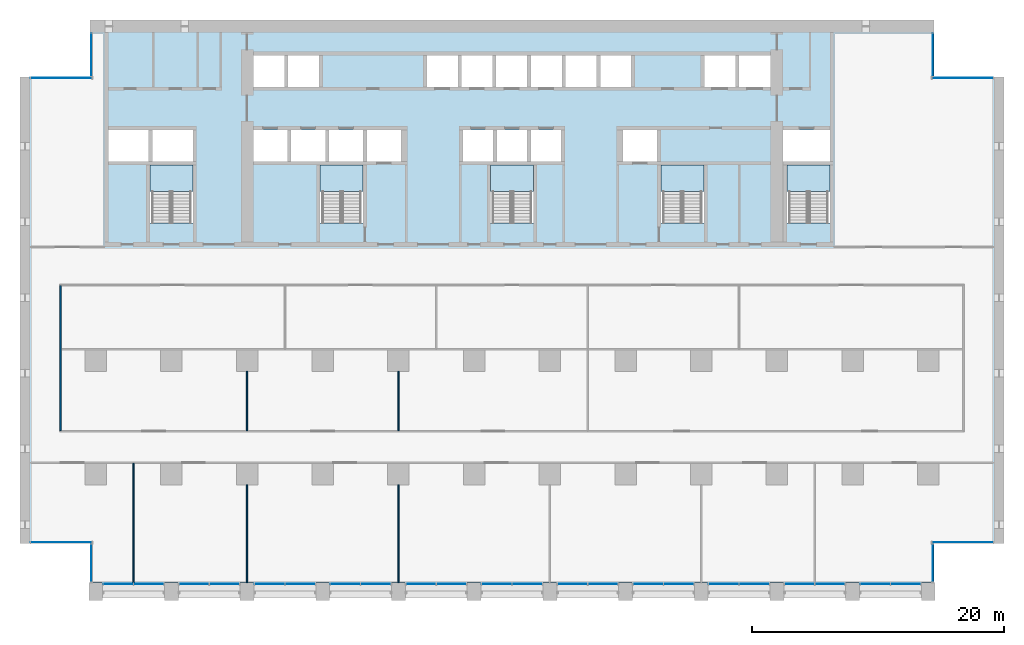
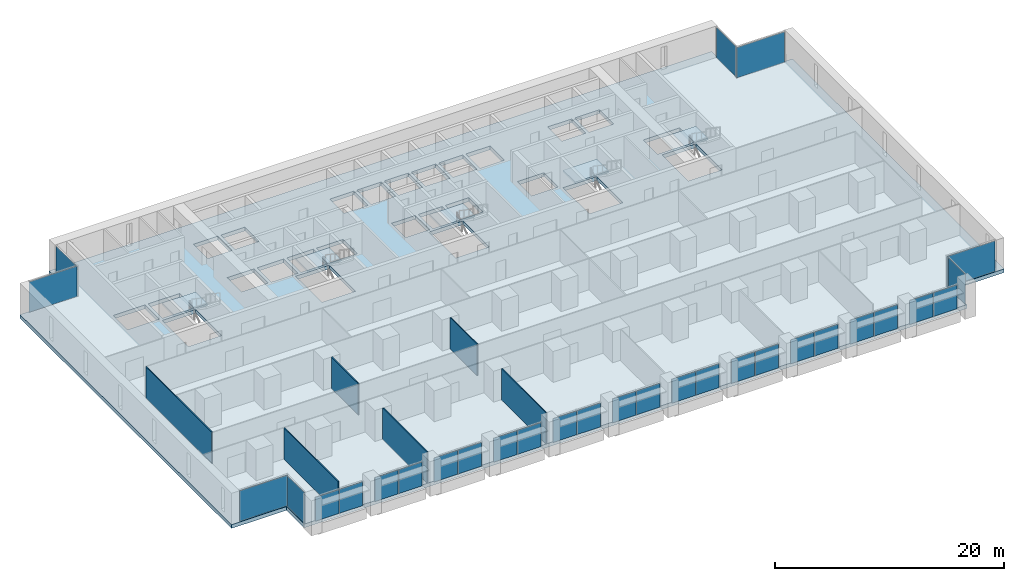
# One storey, part 7 of 18: 30 plates, 6 slabs, 6 walls, 24 elements without a shape of their own.
"""IFC4 building model written with IfcOpenShell, lengths in metres."""

from ifc_helpers import new_model, si_unit, direction, frame, frame_2d, origin, origin_2d, place, context, subcontext, project, spatial, polyline, rectangle, outline, extrude, material, layer, layer_set, type_object, element, aggregate, save


model = new_model("IFC4")

# Units and contexts
model_context = context("Model", 3, precision=1e-05, world=origin(), true_north=direction((0.0, 1.0)))
body_context = subcontext(model_context, "Body", "Model", "MODEL_VIEW")
ifc_project = project(units=[si_unit("LENGTHUNIT", "METRE"), si_unit("AREAUNIT", "SQUARE_METRE"), si_unit("VOLUMEUNIT", "CUBIC_METRE"), si_unit("PLANEANGLEUNIT", "RADIAN"), si_unit("MASSUNIT", "GRAM", prefix="KILO")], contexts=[model_context])

# Site, building, storey
site_placement = place(None, origin())
site = spatial("IfcSite", under=ifc_project, at=site_placement, CompositionType="ELEMENT")
building_placement = place(site_placement, origin())
building = spatial("IfcBuilding", under=site, at=building_placement, Name="Calvaro Tower", CompositionType="ELEMENT")
storey_placement = place(building_placement, frame((0.0, 0.0, 52.5)))
storey = spatial("IfcBuildingStorey", under=building, at=storey_placement, Name="L12", CompositionType="ELEMENT", Elevation=52.5)

# Slab
ifc_material_1 = material(Name="Concrete C40/50", Category="concrete")
ifc_layer_1 = layer(ifc_material_1, 0.39990234375)
ifc_layer_set_1 = layer_set([ifc_layer_1], Name="Concrete C40/50")
slab_type_1 = type_object("IfcSlabType", Name="Floor slab 400 C40/50", PredefinedType="FLOOR", material=ifc_layer_set_1)
slab_1_placement = place(storey_placement, frame((0.0, 0.0, -0.39990234375)))
element("IfcSlab", 1, at=slab_1_placement, inside=storey, type_object=slab_type_1, Name="Floor slab", PredefinedType="FLOOR", context=body_context, shape_type="SweptSolid", body=[
    extrude(outline(polyline([(72.449951171875, 4.5), (72.449951171875, 1.39990234375), (5.550048828125, 1.39990234375), (5.550048828125, 4.5), (0.0, 4.5), (0.0, 41.5), (5.550048828125, 41.5), (5.550048828125, 46.0), (72.449951171875, 46.0), (72.449951171875, 41.5), (78.0, 41.5), (78.0, 4.5), (72.449951171875, 4.5)]), holes=[polyline([(10.300048828125, 29.909912109375), (10.300048828125, 34.5), (12.0, 34.5), (13.699951171875, 34.5), (13.699951171875, 29.909912109375), (12.0, 29.909912109375), (10.300048828125, 29.909912109375)]), polyline([(23.800048828125, 29.909912109375), (23.800048828125, 34.5), (25.5, 34.5), (27.199951171875, 34.5), (27.199951171875, 29.909912109375), (25.5, 29.909912109375), (23.800048828125, 29.909912109375)]), polyline([(37.300048828125, 29.909912109375), (37.300048828125, 34.5), (39.0, 34.5), (40.699951171875, 34.5), (40.699951171875, 29.909912109375), (39.0, 29.909912109375), (37.300048828125, 29.909912109375)]), polyline([(50.800048828125, 29.909912109375), (50.800048828125, 34.5), (52.5, 34.5), (54.199951171875, 34.5), (54.199951171875, 29.909912109375), (52.5, 29.909912109375), (50.800048828125, 29.909912109375)]), polyline([(60.800048828125, 29.909912109375), (60.800048828125, 34.5), (62.5, 34.5), (64.199951171875, 34.5), (64.199951171875, 29.909912109375), (62.5, 29.909912109375), (60.800048828125, 29.909912109375)]), polyline([(18.5, 34.800048828125), (21.199951171875, 34.800048828125), (21.199951171875, 37.300048828125), (18.5, 37.300048828125), (18.5, 34.800048828125)]), polyline([(21.5, 34.800048828125), (24.199951171875, 34.800048828125), (24.199951171875, 37.300048828125), (21.5, 37.300048828125), (21.5, 34.800048828125)]), polyline([(24.5, 34.800048828125), (27.199951171875, 34.800048828125), (27.199951171875, 37.300048828125), (24.5, 37.300048828125), (24.5, 34.800048828125)]), polyline([(35.10009765625, 34.800048828125), (37.5, 34.800048828125), (37.5, 37.300048828125), (35.10009765625, 37.300048828125), (35.10009765625, 34.800048828125)]), polyline([(37.800048828125, 34.800048828125), (40.199951171875, 34.800048828125), (40.199951171875, 37.300048828125), (37.800048828125, 37.300048828125), (37.800048828125, 34.800048828125)]), polyline([(40.5, 34.800048828125), (42.89990234375, 34.800048828125), (42.89990234375, 37.300048828125), (40.5, 37.300048828125), (40.5, 34.800048828125)]), polyline([(18.5, 40.699951171875), (20.949951171875, 40.699951171875), (20.949951171875, 43.199951171875), (18.5, 43.199951171875), (18.5, 40.699951171875)]), polyline([(21.25, 40.699951171875), (23.699951171875, 40.699951171875), (23.699951171875, 43.199951171875), (21.25, 43.199951171875), (21.25, 40.699951171875)]), polyline([(32.25, 40.699951171875), (34.699951171875, 40.699951171875), (34.699951171875, 43.199951171875), (32.25, 43.199951171875), (32.25, 40.699951171875)]), polyline([(35.0, 40.699951171875), (37.449951171875, 40.699951171875), (37.449951171875, 43.199951171875), (35.0, 43.199951171875), (35.0, 40.699951171875)]), polyline([(37.75, 40.699951171875), (40.199951171875, 40.699951171875), (40.199951171875, 43.199951171875), (37.75, 43.199951171875), (37.75, 40.699951171875)]), polyline([(40.5, 40.699951171875), (42.949951171875, 40.699951171875), (42.949951171875, 43.199951171875), (40.5, 43.199951171875), (40.5, 40.699951171875)]), polyline([(43.25, 40.699951171875), (45.699951171875, 40.699951171875), (45.699951171875, 43.199951171875), (43.25, 43.199951171875), (43.25, 40.699951171875)]), polyline([(46.0, 40.699951171875), (48.449951171875, 40.699951171875), (48.449951171875, 43.199951171875), (46.0, 43.199951171875), (46.0, 40.699951171875)]), polyline([(54.25, 40.699951171875), (56.699951171875, 40.699951171875), (56.699951171875, 43.199951171875), (54.25, 43.199951171875), (54.25, 40.699951171875)]), polyline([(57.0, 40.699951171875), (59.5, 40.699951171875), (59.5, 43.199951171875), (57.0, 43.199951171875), (57.0, 40.699951171875)]), polyline([(7.0, 34.800048828125), (10.199951171875, 34.800048828125), (10.199951171875, 37.300048828125), (7.0, 37.300048828125), (7.0, 34.800048828125)]), polyline([(10.5, 34.800048828125), (13.699951171875, 34.800048828125), (13.699951171875, 37.300048828125), (10.5, 37.300048828125), (10.5, 34.800048828125)]), polyline([(60.5, 34.800048828125), (64.199951171875, 34.800048828125), (64.199951171875, 37.300048828125), (60.5, 37.300048828125), (60.5, 34.800048828125)]), polyline([(27.5, 34.800048828125), (30.199951171875, 34.800048828125), (30.199951171875, 37.300048828125), (27.5, 37.300048828125), (27.5, 34.800048828125)]), polyline([(47.800048828125, 34.800048828125), (50.5, 34.800048828125), (50.5, 37.300048828125), (47.800048828125, 37.300048828125), (47.800048828125, 34.800048828125)])]), origin(), (0.0, 0.0, 1.0), 0.39990234375),
])

# Curtain wall, plates
ifc_material_2 = material(Name="Anodised aluminium", Category="aluminium")
curtain_wall_type = type_object("IfcCurtainWallType", Name="Office curtain wall, lower zone", PredefinedType="NOTDEFINED", material=ifc_material_2)
curtain_wall_1_placement = place(storey_placement, origin())
curtain_wall_1 = element("IfcCurtainWall", 2, at=curtain_wall_1_placement, inside=storey, type_object=curtain_wall_type, Name="CW1 south curtain wall", PredefinedType="NOTDEFINED")
ifc_material_3 = material(Name="Glass", Category="glass")
ifc_layer_2 = layer(ifc_material_3, 0.028076171875)
ifc_layer_set_2 = layer_set([ifc_layer_2], Name="Glass")
plate_type = type_object("IfcPlateType", Name="Glass panel S1 28", PredefinedType="CURTAIN_PANEL", material=ifc_layer_set_2)
plate_1_placement = place(storey_placement, frame((7.7900390625, 1.300048828125, 0.0), z_axis=(0.0, 0.0, 1.0), x_axis=(1.0, 0.0, 0.0)))
plate_1 = element("IfcPlate", 3, at=plate_1_placement, type_object=plate_type, Name="CW1 glass panel 1.1", PredefinedType="CURTAIN_PANEL", context=body_context, shape_type="SweptSolid", body=[
    extrude(rectangle(XDim=2.360107421875, YDim=0.028076171875, at=origin_2d()), origin(), (0.0, 0.0, 1.0), 2.550048828125),
])
plate_2_placement = place(storey_placement, frame((10.2099609375, 1.300048828125, 0.0), z_axis=(0.0, 0.0, 1.0), x_axis=(1.0, 0.0, 0.0)))
plate_2 = element("IfcPlate", 4, at=plate_2_placement, type_object=plate_type, Name="CW1 glass panel 2.1", PredefinedType="CURTAIN_PANEL", context=body_context, shape_type="SweptSolid", body=[
    extrude(rectangle(XDim=2.360107421875, YDim=0.028076171875, at=origin_2d()), origin(), (0.0, 0.0, 1.0), 2.550048828125),
])
aggregate(curtain_wall_1, [plate_1, plate_2])

curtain_wall_2_placement = place(storey_placement, origin())
curtain_wall_2 = element("IfcCurtainWall", 5, at=curtain_wall_2_placement, inside=storey, type_object=curtain_wall_type, Name="CW1 south curtain wall", PredefinedType="NOTDEFINED")
plate_3_placement = place(storey_placement, frame((13.7900390625, 1.300048828125, 0.0), z_axis=(0.0, 0.0, 1.0), x_axis=(1.0, 0.0, 0.0)))
plate_3 = element("IfcPlate", 6, at=plate_3_placement, type_object=plate_type, Name="CW1 glass panel 1.1", PredefinedType="CURTAIN_PANEL", context=body_context, shape_type="SweptSolid", body=[
    extrude(rectangle(XDim=2.360107421875, YDim=0.028076171875, at=origin_2d()), origin(), (0.0, 0.0, 1.0), 2.550048828125),
])
plate_4_placement = place(storey_placement, frame((16.2099609375, 1.300048828125, 0.0), z_axis=(0.0, 0.0, 1.0), x_axis=(1.0, 0.0, 0.0)))
plate_4 = element("IfcPlate", 7, at=plate_4_placement, type_object=plate_type, Name="CW1 glass panel 2.1", PredefinedType="CURTAIN_PANEL", context=body_context, shape_type="SweptSolid", body=[
    extrude(rectangle(XDim=2.360107421875, YDim=0.028076171875, at=origin_2d()), origin(), (0.0, 0.0, 1.0), 2.550048828125),
])
aggregate(curtain_wall_2, [plate_3, plate_4])

curtain_wall_3_placement = place(storey_placement, origin())
curtain_wall_3 = element("IfcCurtainWall", 8, at=curtain_wall_3_placement, inside=storey, type_object=curtain_wall_type, Name="CW1 south curtain wall", PredefinedType="NOTDEFINED")
plate_5_placement = place(storey_placement, frame((19.7900390625, 1.300048828125, 0.0), z_axis=(0.0, 0.0, 1.0), x_axis=(1.0, 0.0, 0.0)))
plate_5 = element("IfcPlate", 9, at=plate_5_placement, type_object=plate_type, Name="CW1 glass panel 1.1", PredefinedType="CURTAIN_PANEL", context=body_context, shape_type="SweptSolid", body=[
    extrude(rectangle(XDim=2.360107421875, YDim=0.028076171875, at=origin_2d()), origin(), (0.0, 0.0, 1.0), 2.550048828125),
])
plate_6_placement = place(storey_placement, frame((22.2099609375, 1.300048828125, 0.0), z_axis=(0.0, 0.0, 1.0), x_axis=(1.0, 0.0, 0.0)))
plate_6 = element("IfcPlate", 10, at=plate_6_placement, type_object=plate_type, Name="CW1 glass panel 2.1", PredefinedType="CURTAIN_PANEL", context=body_context, shape_type="SweptSolid", body=[
    extrude(rectangle(XDim=2.360107421875, YDim=0.028076171875, at=origin_2d()), origin(), (0.0, 0.0, 1.0), 2.550048828125),
])
aggregate(curtain_wall_3, [plate_5, plate_6])

curtain_wall_4_placement = place(storey_placement, origin())
curtain_wall_4 = element("IfcCurtainWall", 11, at=curtain_wall_4_placement, inside=storey, type_object=curtain_wall_type, Name="CW1 south curtain wall", PredefinedType="NOTDEFINED")
plate_7_placement = place(storey_placement, frame((25.7900390625, 1.300048828125, 0.0), z_axis=(0.0, 0.0, 1.0), x_axis=(1.0, 0.0, 0.0)))
plate_7 = element("IfcPlate", 12, at=plate_7_placement, type_object=plate_type, Name="CW1 glass panel 1.1", PredefinedType="CURTAIN_PANEL", context=body_context, shape_type="SweptSolid", body=[
    extrude(rectangle(XDim=2.360107421875, YDim=0.028076171875, at=origin_2d()), origin(), (0.0, 0.0, 1.0), 2.550048828125),
])
plate_8_placement = place(storey_placement, frame((28.2099609375, 1.300048828125, 0.0), z_axis=(0.0, 0.0, 1.0), x_axis=(1.0, 0.0, 0.0)))
plate_8 = element("IfcPlate", 13, at=plate_8_placement, type_object=plate_type, Name="CW1 glass panel 2.1", PredefinedType="CURTAIN_PANEL", context=body_context, shape_type="SweptSolid", body=[
    extrude(rectangle(XDim=2.360107421875, YDim=0.028076171875, at=origin_2d()), origin(), (0.0, 0.0, 1.0), 2.550048828125),
])
aggregate(curtain_wall_4, [plate_7, plate_8])

curtain_wall_5_placement = place(storey_placement, origin())
curtain_wall_5 = element("IfcCurtainWall", 14, at=curtain_wall_5_placement, inside=storey, type_object=curtain_wall_type, Name="CW1 south curtain wall", PredefinedType="NOTDEFINED")
plate_9_placement = place(storey_placement, frame((31.7900390625, 1.300048828125, 0.0), z_axis=(0.0, 0.0, 1.0), x_axis=(1.0, 0.0, 0.0)))
plate_9 = element("IfcPlate", 15, at=plate_9_placement, type_object=plate_type, Name="CW1 glass panel 1.1", PredefinedType="CURTAIN_PANEL", context=body_context, shape_type="SweptSolid", body=[
    extrude(rectangle(XDim=2.360107421875, YDim=0.028076171875, at=origin_2d()), origin(), (0.0, 0.0, 1.0), 2.550048828125),
])
plate_10_placement = place(storey_placement, frame((34.2099609375, 1.300048828125, 0.0), z_axis=(0.0, 0.0, 1.0), x_axis=(1.0, 0.0, 0.0)))
plate_10 = element("IfcPlate", 16, at=plate_10_placement, type_object=plate_type, Name="CW1 glass panel 2.1", PredefinedType="CURTAIN_PANEL", context=body_context, shape_type="SweptSolid", body=[
    extrude(rectangle(XDim=2.360107421875, YDim=0.028076171875, at=origin_2d()), origin(), (0.0, 0.0, 1.0), 2.550048828125),
])
aggregate(curtain_wall_5, [plate_9, plate_10])

curtain_wall_6_placement = place(storey_placement, origin())
curtain_wall_6 = element("IfcCurtainWall", 17, at=curtain_wall_6_placement, inside=storey, type_object=curtain_wall_type, Name="CW1 south curtain wall", PredefinedType="NOTDEFINED")
plate_11_placement = place(storey_placement, frame((37.7900390625, 1.300048828125, 0.0), z_axis=(0.0, 0.0, 1.0), x_axis=(1.0, 0.0, 0.0)))
plate_11 = element("IfcPlate", 18, at=plate_11_placement, type_object=plate_type, Name="CW1 glass panel 1.1", PredefinedType="CURTAIN_PANEL", context=body_context, shape_type="SweptSolid", body=[
    extrude(rectangle(XDim=2.360107421875, YDim=0.028076171875, at=origin_2d()), origin(), (0.0, 0.0, 1.0), 2.550048828125),
])
plate_12_placement = place(storey_placement, frame((40.2099609375, 1.300048828125, 0.0), z_axis=(0.0, 0.0, 1.0), x_axis=(1.0, 0.0, 0.0)))
plate_12 = element("IfcPlate", 19, at=plate_12_placement, type_object=plate_type, Name="CW1 glass panel 2.1", PredefinedType="CURTAIN_PANEL", context=body_context, shape_type="SweptSolid", body=[
    extrude(rectangle(XDim=2.360107421875, YDim=0.028076171875, at=origin_2d()), origin(), (0.0, 0.0, 1.0), 2.550048828125),
])
aggregate(curtain_wall_6, [plate_11, plate_12])

curtain_wall_7_placement = place(storey_placement, origin())
curtain_wall_7 = element("IfcCurtainWall", 20, at=curtain_wall_7_placement, inside=storey, type_object=curtain_wall_type, Name="CW1 south curtain wall", PredefinedType="NOTDEFINED")
plate_13_placement = place(storey_placement, frame((43.7900390625, 1.300048828125, 0.0), z_axis=(0.0, 0.0, 1.0), x_axis=(1.0, 0.0, 0.0)))
plate_13 = element("IfcPlate", 21, at=plate_13_placement, type_object=plate_type, Name="CW1 glass panel 1.1", PredefinedType="CURTAIN_PANEL", context=body_context, shape_type="SweptSolid", body=[
    extrude(rectangle(XDim=2.360107421875, YDim=0.028076171875, at=origin_2d()), origin(), (0.0, 0.0, 1.0), 2.550048828125),
])
plate_14_placement = place(storey_placement, frame((46.2099609375, 1.300048828125, 0.0), z_axis=(0.0, 0.0, 1.0), x_axis=(1.0, 0.0, 0.0)))
plate_14 = element("IfcPlate", 22, at=plate_14_placement, type_object=plate_type, Name="CW1 glass panel 2.1", PredefinedType="CURTAIN_PANEL", context=body_context, shape_type="SweptSolid", body=[
    extrude(rectangle(XDim=2.360107421875, YDim=0.028076171875, at=origin_2d()), origin(), (0.0, 0.0, 1.0), 2.550048828125),
])
aggregate(curtain_wall_7, [plate_13, plate_14])

curtain_wall_8_placement = place(storey_placement, origin())
curtain_wall_8 = element("IfcCurtainWall", 23, at=curtain_wall_8_placement, inside=storey, type_object=curtain_wall_type, Name="CW1 south curtain wall", PredefinedType="NOTDEFINED")
plate_15_placement = place(storey_placement, frame((49.7900390625, 1.300048828125, 0.0), z_axis=(0.0, 0.0, 1.0), x_axis=(1.0, 0.0, 0.0)))
plate_15 = element("IfcPlate", 24, at=plate_15_placement, type_object=plate_type, Name="CW1 glass panel 1.1", PredefinedType="CURTAIN_PANEL", context=body_context, shape_type="SweptSolid", body=[
    extrude(rectangle(XDim=2.360107421875, YDim=0.028076171875, at=origin_2d()), origin(), (0.0, 0.0, 1.0), 2.550048828125),
])
plate_16_placement = place(storey_placement, frame((52.2099609375, 1.300048828125, 0.0), z_axis=(0.0, 0.0, 1.0), x_axis=(1.0, 0.0, 0.0)))
plate_16 = element("IfcPlate", 25, at=plate_16_placement, type_object=plate_type, Name="CW1 glass panel 2.1", PredefinedType="CURTAIN_PANEL", context=body_context, shape_type="SweptSolid", body=[
    extrude(rectangle(XDim=2.360107421875, YDim=0.028076171875, at=origin_2d()), origin(), (0.0, 0.0, 1.0), 2.550048828125),
])
aggregate(curtain_wall_8, [plate_15, plate_16])

curtain_wall_9_placement = place(storey_placement, origin())
curtain_wall_9 = element("IfcCurtainWall", 26, at=curtain_wall_9_placement, inside=storey, type_object=curtain_wall_type, Name="CW1 south curtain wall", PredefinedType="NOTDEFINED")
plate_17_placement = place(storey_placement, frame((55.7900390625, 1.300048828125, 0.0), z_axis=(0.0, 0.0, 1.0), x_axis=(1.0, 0.0, 0.0)))
plate_17 = element("IfcPlate", 27, at=plate_17_placement, type_object=plate_type, Name="CW1 glass panel 1.1", PredefinedType="CURTAIN_PANEL", context=body_context, shape_type="SweptSolid", body=[
    extrude(rectangle(XDim=2.360107421875, YDim=0.028076171875, at=origin_2d()), origin(), (0.0, 0.0, 1.0), 2.550048828125),
])
plate_18_placement = place(storey_placement, frame((58.2099609375, 1.300048828125, 0.0), z_axis=(0.0, 0.0, 1.0), x_axis=(1.0, 0.0, 0.0)))
plate_18 = element("IfcPlate", 28, at=plate_18_placement, type_object=plate_type, Name="CW1 glass panel 2.1", PredefinedType="CURTAIN_PANEL", context=body_context, shape_type="SweptSolid", body=[
    extrude(rectangle(XDim=2.360107421875, YDim=0.028076171875, at=origin_2d()), origin(), (0.0, 0.0, 1.0), 2.550048828125),
])
aggregate(curtain_wall_9, [plate_17, plate_18])

curtain_wall_10_placement = place(storey_placement, origin())
curtain_wall_10 = element("IfcCurtainWall", 29, at=curtain_wall_10_placement, inside=storey, type_object=curtain_wall_type, Name="CW1 south curtain wall", PredefinedType="NOTDEFINED")
plate_19_placement = place(storey_placement, frame((61.7900390625, 1.300048828125, 0.0), z_axis=(0.0, 0.0, 1.0), x_axis=(1.0, 0.0, 0.0)))
plate_19 = element("IfcPlate", 30, at=plate_19_placement, type_object=plate_type, Name="CW1 glass panel 1.1", PredefinedType="CURTAIN_PANEL", context=body_context, shape_type="SweptSolid", body=[
    extrude(rectangle(XDim=2.360107421875, YDim=0.028076171875, at=origin_2d()), origin(), (0.0, 0.0, 1.0), 2.550048828125),
])
plate_20_placement = place(storey_placement, frame((64.2099609375, 1.300048828125, 0.0), z_axis=(0.0, 0.0, 1.0), x_axis=(1.0, 0.0, 0.0)))
plate_20 = element("IfcPlate", 31, at=plate_20_placement, type_object=plate_type, Name="CW1 glass panel 2.1", PredefinedType="CURTAIN_PANEL", context=body_context, shape_type="SweptSolid", body=[
    extrude(rectangle(XDim=2.360107421875, YDim=0.028076171875, at=origin_2d()), origin(), (0.0, 0.0, 1.0), 2.550048828125),
])
aggregate(curtain_wall_10, [plate_19, plate_20])

curtain_wall_11_placement = place(storey_placement, origin())
curtain_wall_11 = element("IfcCurtainWall", 32, at=curtain_wall_11_placement, inside=storey, type_object=curtain_wall_type, Name="CW1 south curtain wall", PredefinedType="NOTDEFINED")
plate_21_placement = place(storey_placement, frame((67.7900390625, 1.300048828125, 0.0), z_axis=(0.0, 0.0, 1.0), x_axis=(1.0, 0.0, 0.0)))
plate_21 = element("IfcPlate", 33, at=plate_21_placement, type_object=plate_type, Name="CW1 glass panel 1.1", PredefinedType="CURTAIN_PANEL", context=body_context, shape_type="SweptSolid", body=[
    extrude(rectangle(XDim=2.360107421875, YDim=0.028076171875, at=origin_2d()), origin(), (0.0, 0.0, 1.0), 2.550048828125),
])
plate_22_placement = place(storey_placement, frame((70.2099609375, 1.300048828125, 0.0), z_axis=(0.0, 0.0, 1.0), x_axis=(1.0, 0.0, 0.0)))
plate_22 = element("IfcPlate", 34, at=plate_22_placement, type_object=plate_type, Name="CW1 glass panel 2.1", PredefinedType="CURTAIN_PANEL", context=body_context, shape_type="SweptSolid", body=[
    extrude(rectangle(XDim=2.360107421875, YDim=0.028076171875, at=origin_2d()), origin(), (0.0, 0.0, 1.0), 2.550048828125),
])
aggregate(curtain_wall_11, [plate_21, plate_22])

# Curtain wall, plate
curtain_wall_12_placement = place(storey_placement, origin())
curtain_wall_12 = element("IfcCurtainWall", 35, at=curtain_wall_12_placement, inside=storey, type_object=curtain_wall_type, Name="CW1 corner curtain wall", PredefinedType="NOTDEFINED")
plate_23_placement = place(storey_placement, frame((5.64990234375, 2.949951171875, 0.0), z_axis=(0.0, 0.0, 1.0), x_axis=(0.0, 1.0, 0.0)))
plate_23 = element("IfcPlate", 36, at=plate_23_placement, type_object=plate_type, Name="CW1 glass panel 1.1", PredefinedType="CURTAIN_PANEL", context=body_context, shape_type="SweptSolid", body=[
    extrude(rectangle(XDim=2.97998046875, YDim=0.028076171875, at=origin_2d()), origin(), (0.0, 0.0, 1.0), 3.25),
])
aggregate(curtain_wall_12, [plate_23])

curtain_wall_13_placement = place(storey_placement, origin())
curtain_wall_13 = element("IfcCurtainWall", 37, at=curtain_wall_13_placement, inside=storey, type_object=curtain_wall_type, Name="CW1 corner curtain wall", PredefinedType="NOTDEFINED")
plate_24_placement = place(storey_placement, frame((3.27490234375, 4.60009765625, 0.0), z_axis=(0.0, 0.0, 1.0), x_axis=(1.0, 0.0, 0.0)))
plate_24 = element("IfcPlate", 38, at=plate_24_placement, type_object=plate_type, Name="CW1 glass panel 1.1", PredefinedType="CURTAIN_PANEL", context=body_context, shape_type="SweptSolid", body=[
    extrude(rectangle(XDim=4.830078125, YDim=0.028076171875, at=origin_2d()), origin(), (0.0, 0.0, 1.0), 3.25),
])
aggregate(curtain_wall_13, [plate_24])

curtain_wall_14_placement = place(storey_placement, origin())
curtain_wall_14 = element("IfcCurtainWall", 39, at=curtain_wall_14_placement, inside=storey, type_object=curtain_wall_type, Name="CW1 corner curtain wall", PredefinedType="NOTDEFINED")
plate_25_placement = place(storey_placement, frame((5.64990234375, 43.25, 0.0), z_axis=(0.0, 0.0, 1.0), x_axis=(0.0, 1.0, 0.0)))
plate_25 = element("IfcPlate", 40, at=plate_25_placement, type_object=plate_type, Name="CW1 glass panel 1.1", PredefinedType="CURTAIN_PANEL", context=body_context, shape_type="SweptSolid", body=[
    extrude(rectangle(XDim=3.3798828125, YDim=0.028076171875, at=origin_2d()), origin(), (0.0, 0.0, 1.0), 3.25),
])
aggregate(curtain_wall_14, [plate_25])

curtain_wall_15_placement = place(storey_placement, origin())
curtain_wall_15 = element("IfcCurtainWall", 41, at=curtain_wall_15_placement, inside=storey, type_object=curtain_wall_type, Name="CW1 corner curtain wall", PredefinedType="NOTDEFINED")
plate_26_placement = place(storey_placement, frame((3.27490234375, 41.39990234375, 0.0), z_axis=(0.0, 0.0, 1.0), x_axis=(1.0, 0.0, 0.0)))
plate_26 = element("IfcPlate", 42, at=plate_26_placement, type_object=plate_type, Name="CW1 glass panel 1.1", PredefinedType="CURTAIN_PANEL", context=body_context, shape_type="SweptSolid", body=[
    extrude(rectangle(XDim=4.830078125, YDim=0.028076171875, at=origin_2d()), origin(), (0.0, 0.0, 1.0), 3.25),
])
aggregate(curtain_wall_15, [plate_26])

curtain_wall_16_placement = place(storey_placement, origin())
curtain_wall_16 = element("IfcCurtainWall", 43, at=curtain_wall_16_placement, inside=storey, type_object=curtain_wall_type, Name="CW1 corner curtain wall", PredefinedType="NOTDEFINED")
plate_27_placement = place(storey_placement, frame((72.35009765625, 2.949951171875, 0.0), z_axis=(0.0, 0.0, 1.0), x_axis=(0.0, 1.0, 0.0)))
plate_27 = element("IfcPlate", 44, at=plate_27_placement, type_object=plate_type, Name="CW1 glass panel 1.1", PredefinedType="CURTAIN_PANEL", context=body_context, shape_type="SweptSolid", body=[
    extrude(rectangle(XDim=2.97998046875, YDim=0.028076171875, at=origin_2d()), origin(), (0.0, 0.0, 1.0), 3.25),
])
aggregate(curtain_wall_16, [plate_27])

curtain_wall_17_placement = place(storey_placement, origin())
curtain_wall_17 = element("IfcCurtainWall", 45, at=curtain_wall_17_placement, inside=storey, type_object=curtain_wall_type, Name="CW1 corner curtain wall", PredefinedType="NOTDEFINED")
plate_28_placement = place(storey_placement, frame((74.72509765625, 4.60009765625, 0.0), z_axis=(0.0, 0.0, 1.0), x_axis=(1.0, 0.0, 0.0)))
plate_28 = element("IfcPlate", 46, at=plate_28_placement, type_object=plate_type, Name="CW1 glass panel 1.1", PredefinedType="CURTAIN_PANEL", context=body_context, shape_type="SweptSolid", body=[
    extrude(rectangle(XDim=4.830078125, YDim=0.028076171875, at=origin_2d()), origin(), (0.0, 0.0, 1.0), 3.25),
])
aggregate(curtain_wall_17, [plate_28])

curtain_wall_18_placement = place(storey_placement, origin())
curtain_wall_18 = element("IfcCurtainWall", 47, at=curtain_wall_18_placement, inside=storey, type_object=curtain_wall_type, Name="CW1 corner curtain wall", PredefinedType="NOTDEFINED")
plate_29_placement = place(storey_placement, frame((72.35009765625, 43.25, 0.0), z_axis=(0.0, 0.0, 1.0), x_axis=(0.0, 1.0, 0.0)))
plate_29 = element("IfcPlate", 48, at=plate_29_placement, type_object=plate_type, Name="CW1 glass panel 1.1", PredefinedType="CURTAIN_PANEL", context=body_context, shape_type="SweptSolid", body=[
    extrude(rectangle(XDim=3.3798828125, YDim=0.028076171875, at=origin_2d()), origin(), (0.0, 0.0, 1.0), 3.25),
])
aggregate(curtain_wall_18, [plate_29])

curtain_wall_19_placement = place(storey_placement, origin())
curtain_wall_19 = element("IfcCurtainWall", 49, at=curtain_wall_19_placement, inside=storey, type_object=curtain_wall_type, Name="CW1 corner curtain wall", PredefinedType="NOTDEFINED")
plate_30_placement = place(storey_placement, frame((74.72509765625, 41.39990234375, 0.0), z_axis=(0.0, 0.0, 1.0), x_axis=(1.0, 0.0, 0.0)))
plate_30 = element("IfcPlate", 50, at=plate_30_placement, type_object=plate_type, Name="CW1 glass panel 1.1", PredefinedType="CURTAIN_PANEL", context=body_context, shape_type="SweptSolid", body=[
    extrude(rectangle(XDim=4.830078125, YDim=0.028076171875, at=origin_2d()), origin(), (0.0, 0.0, 1.0), 3.25),
])
aggregate(curtain_wall_19, [plate_30])

# Stair, slab
ifc_material_4 = material(Name="Concrete C40/50", Category="concrete")
stair_type = type_object("IfcStairType", Name="Exit stair 1400 2 flights", PredefinedType="HALF_TURN_STAIR", material=ifc_material_4)
stair_1_placement = place(storey_placement, origin())
stair_1 = element("IfcStair", 51, at=stair_1_placement, inside=storey, type_object=stair_type, Name="Exit stair S1", PredefinedType="HALF_TURN_STAIR")
ifc_material_5 = material(Name="Concrete C40/50", Category="concrete")
ifc_layer_3 = layer(ifc_material_5, 0.199951171875)
ifc_layer_set_3 = layer_set([ifc_layer_3], Name="Concrete C40/50")
slab_type_2 = type_object("IfcSlabType", Name="Stair landing", PredefinedType="LANDING", material=ifc_layer_set_3)
slab_2_placement = place(storey_placement, frame((0.0, 0.0, 1.675048828125)))
slab_2 = element("IfcSlab", 52, at=slab_2_placement, type_object=slab_type_2, Name="Exit stair 1, landing 1", PredefinedType="LANDING", context=body_context, shape_type="SweptSolid", body=[
    extrude(outline(polyline([(11.89990234375, 32.389892578125), (10.5, 32.389892578125), (10.5, 32.39990234375), (10.300048828125, 32.39990234375), (10.300048828125, 34.5), (10.5, 34.5), (11.89990234375, 34.5), (12.10009765625, 34.5), (13.5, 34.5), (13.699951171875, 34.5), (13.699951171875, 32.39990234375), (13.5, 32.39990234375), (13.5, 32.389892578125), (12.10009765625, 32.389892578125), (12.10009765625, 32.39990234375), (11.89990234375, 32.39990234375), (11.89990234375, 32.389892578125)])), origin(), (0.0, 0.0, 1.0), 0.199951171875),
])
aggregate(stair_1, [slab_2])

stair_2_placement = place(storey_placement, origin())
stair_2 = element("IfcStair", 53, at=stair_2_placement, inside=storey, type_object=stair_type, Name="Exit stair S2", PredefinedType="HALF_TURN_STAIR")
slab_3_placement = place(storey_placement, frame((0.0, 0.0, 1.675048828125)))
slab_3 = element("IfcSlab", 54, at=slab_3_placement, type_object=slab_type_2, Name="Exit stair 2, landing 1", PredefinedType="LANDING", context=body_context, shape_type="SweptSolid", body=[
    extrude(outline(polyline([(25.39990234375, 32.389892578125), (24.0, 32.389892578125), (24.0, 32.39990234375), (23.800048828125, 32.39990234375), (23.800048828125, 34.5), (24.0, 34.5), (25.39990234375, 34.5), (25.60009765625, 34.5), (27.0, 34.5), (27.199951171875, 34.5), (27.199951171875, 32.39990234375), (27.0, 32.39990234375), (27.0, 32.389892578125), (25.60009765625, 32.389892578125), (25.60009765625, 32.39990234375), (25.39990234375, 32.39990234375), (25.39990234375, 32.389892578125)])), origin(), (0.0, 0.0, 1.0), 0.199951171875),
])
aggregate(stair_2, [slab_3])

stair_3_placement = place(storey_placement, origin())
stair_3 = element("IfcStair", 55, at=stair_3_placement, inside=storey, type_object=stair_type, Name="Exit stair S3", PredefinedType="HALF_TURN_STAIR")
slab_4_placement = place(storey_placement, frame((0.0, 0.0, 1.675048828125)))
slab_4 = element("IfcSlab", 56, at=slab_4_placement, type_object=slab_type_2, Name="Exit stair 3, landing 1", PredefinedType="LANDING", context=body_context, shape_type="SweptSolid", body=[
    extrude(outline(polyline([(38.89990234375, 32.389892578125), (37.5, 32.389892578125), (37.5, 32.39990234375), (37.300048828125, 32.39990234375), (37.300048828125, 34.5), (37.5, 34.5), (38.89990234375, 34.5), (39.10009765625, 34.5), (40.5, 34.5), (40.699951171875, 34.5), (40.699951171875, 32.39990234375), (40.5, 32.39990234375), (40.5, 32.389892578125), (39.10009765625, 32.389892578125), (39.10009765625, 32.39990234375), (38.89990234375, 32.39990234375), (38.89990234375, 32.389892578125)])), origin(), (0.0, 0.0, 1.0), 0.199951171875),
])
aggregate(stair_3, [slab_4])

stair_4_placement = place(storey_placement, origin())
stair_4 = element("IfcStair", 57, at=stair_4_placement, inside=storey, type_object=stair_type, Name="Exit stair S4", PredefinedType="HALF_TURN_STAIR")
slab_5_placement = place(storey_placement, frame((0.0, 0.0, 1.675048828125)))
slab_5 = element("IfcSlab", 58, at=slab_5_placement, type_object=slab_type_2, Name="Exit stair 4, landing 1", PredefinedType="LANDING", context=body_context, shape_type="SweptSolid", body=[
    extrude(outline(polyline([(52.39990234375, 32.389892578125), (51.0, 32.389892578125), (51.0, 32.39990234375), (50.800048828125, 32.39990234375), (50.800048828125, 34.5), (51.0, 34.5), (52.39990234375, 34.5), (52.60009765625, 34.5), (54.0, 34.5), (54.199951171875, 34.5), (54.199951171875, 32.39990234375), (54.0, 32.39990234375), (54.0, 32.389892578125), (52.60009765625, 32.389892578125), (52.60009765625, 32.39990234375), (52.39990234375, 32.39990234375), (52.39990234375, 32.389892578125)])), origin(), (0.0, 0.0, 1.0), 0.199951171875),
])
aggregate(stair_4, [slab_5])

stair_5_placement = place(storey_placement, origin())
stair_5 = element("IfcStair", 59, at=stair_5_placement, inside=storey, type_object=stair_type, Name="Exit stair S5", PredefinedType="HALF_TURN_STAIR")
slab_6_placement = place(storey_placement, frame((0.0, 0.0, 1.675048828125)))
slab_6 = element("IfcSlab", 60, at=slab_6_placement, type_object=slab_type_2, Name="Exit stair 5, landing 1", PredefinedType="LANDING", context=body_context, shape_type="SweptSolid", body=[
    extrude(outline(polyline([(62.39990234375, 32.389892578125), (61.0, 32.389892578125), (61.0, 32.39990234375), (60.800048828125, 32.39990234375), (60.800048828125, 34.5), (61.0, 34.5), (62.39990234375, 34.5), (62.60009765625, 34.5), (64.0, 34.5), (64.199951171875, 34.5), (64.199951171875, 32.39990234375), (64.0, 32.39990234375), (64.0, 32.389892578125), (62.60009765625, 32.389892578125), (62.60009765625, 32.39990234375), (62.39990234375, 32.39990234375), (62.39990234375, 32.389892578125)])), origin(), (0.0, 0.0, 1.0), 0.199951171875),
])
aggregate(stair_5, [slab_6])

# Walls
ifc_material_6 = material(Name="Plasterboard on steel studs", Category="steel")
ifc_layer_4 = layer(ifc_material_6, 0.10009765625)
ifc_layer_set_4 = layer_set([ifc_layer_4], Name="Plasterboard on steel studs")
wall_type = type_object("IfcWallType", Name="Partition 100", PredefinedType="PARTITIONING", material=ifc_layer_set_4)
wall_1_placement = place(storey_placement, frame((3.199951171875, 13.449951171875, 0.0), z_axis=(0.0, 0.0, 1.0), x_axis=(0.0, 1.0, 0.0)))
element("IfcWall", 61, at=wall_1_placement, inside=storey, type_object=wall_type, Name="Partition T11.W007", PredefinedType="PARTITIONING", context=body_context, shape_type="SweptSolid", body=[
    extrude(rectangle(XDim=11.5, YDim=0.10009765625, at=frame_2d((5.75, 0.0))), origin(), (0.0, 0.0, 1.0), 3.35009765625),
])
wall_2_placement = place(storey_placement, frame((9.0, 1.39990234375, 0.0), z_axis=(0.0, 0.0, 1.0), x_axis=(0.0, 1.0, 0.0)))
element("IfcWall", 62, at=wall_2_placement, inside=storey, type_object=wall_type, Name="Partition T11.W008", PredefinedType="PARTITIONING", context=body_context, shape_type="SweptSolid", body=[
    extrude(rectangle(XDim=9.4501953125, YDim=0.10009765625, at=frame_2d((4.72509765625, 0.0))), origin(), (0.0, 0.0, 1.0), 3.35009765625),
])
wall_3_placement = place(storey_placement, frame((18.0, 1.39990234375, 0.0), z_axis=(0.0, 0.0, 1.0), x_axis=(0.0, 1.0, 0.0)))
element("IfcWall", 63, at=wall_3_placement, inside=storey, type_object=wall_type, Name="Partition T11.W009", PredefinedType="PARTITIONING", context=body_context, shape_type="SweptSolid", body=[
    extrude(rectangle(XDim=7.75, YDim=0.10009765625, at=frame_2d((3.875, 0.0))), origin(), (0.0, 0.0, 1.0), 3.35009765625),
])
wall_4_placement = place(storey_placement, frame((18.0, 13.449951171875, 0.0), z_axis=(0.0, 0.0, 1.0), x_axis=(0.0, 1.0, 0.0)))
element("IfcWall", 64, at=wall_4_placement, inside=storey, type_object=wall_type, Name="Partition T11.W010", PredefinedType="PARTITIONING", context=body_context, shape_type="SweptSolid", body=[
    extrude(rectangle(XDim=4.699951171875, YDim=0.10009765625, at=frame_2d((2.35009765625, 0.0))), origin(), (0.0, 0.0, 1.0), 3.35009765625),
])
wall_5_placement = place(storey_placement, frame((30.0, 1.39990234375, 0.0), z_axis=(0.0, 0.0, 1.0), x_axis=(0.0, 1.0, 0.0)))
element("IfcWall", 65, at=wall_5_placement, inside=storey, type_object=wall_type, Name="Partition T11.W012", PredefinedType="PARTITIONING", context=body_context, shape_type="SweptSolid", body=[
    extrude(rectangle(XDim=7.75, YDim=0.10009765625, at=frame_2d((3.875, 0.0))), origin(), (0.0, 0.0, 1.0), 3.35009765625),
])
wall_6_placement = place(storey_placement, frame((30.0, 13.449951171875, 0.0), z_axis=(0.0, 0.0, 1.0), x_axis=(0.0, 1.0, 0.0)))
element("IfcWall", 66, at=wall_6_placement, inside=storey, type_object=wall_type, Name="Partition T11.W013", PredefinedType="PARTITIONING", context=body_context, shape_type="SweptSolid", body=[
    extrude(rectangle(XDim=4.699951171875, YDim=0.10009765625, at=frame_2d((2.35009765625, 0.0))), origin(), (0.0, 0.0, 1.0), 3.35009765625),
])

save(model, "model.ifc")
